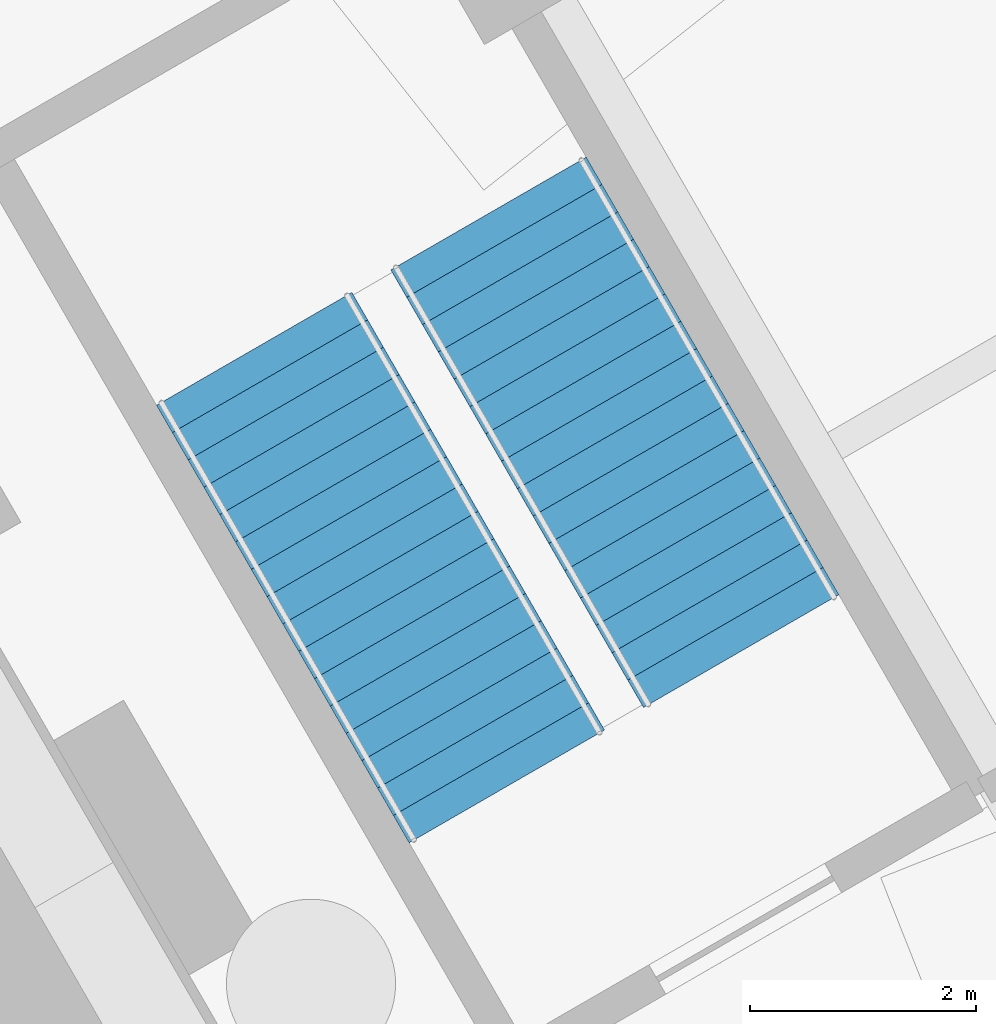
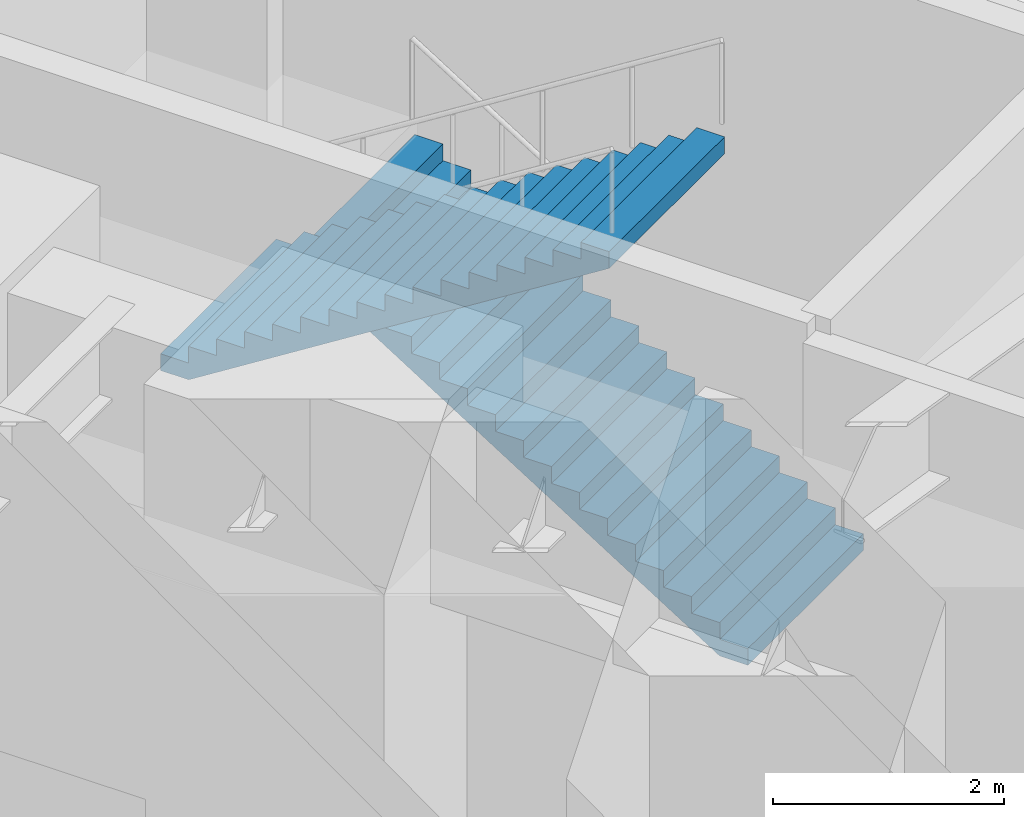
# One storey, part 24 of 34: 2 stair flights, 1 element without a shape of its own.
"""IFC4 building model written with IfcOpenShell, lengths in metres."""

from ifc_helpers import new_model, si_unit, direction, frame, origin, place, context, subcontext, project, spatial, polyline, outline, extrude, material, type_object, element, aggregate, save


model = new_model("IFC4")

# Units and contexts
model_context = context("Model", 3, precision=1e-05, world=origin(), true_north=direction((0.0, 1.0)))
body_context = subcontext(model_context, "Body", "Model", "MODEL_VIEW")
ifc_project = project(units=[si_unit("LENGTHUNIT", "METRE"), si_unit("AREAUNIT", "SQUARE_METRE"), si_unit("VOLUMEUNIT", "CUBIC_METRE"), si_unit("PLANEANGLEUNIT", "RADIAN"), si_unit("MASSUNIT", "GRAM", prefix="KILO")], contexts=[model_context])

# Site, building, storey
site_placement = place(None, origin())
site = spatial("IfcSite", under=ifc_project, at=site_placement, CompositionType="ELEMENT")
building_placement = place(site_placement, origin())
building = spatial("IfcBuilding", under=site, at=building_placement, Name="Sandreach Pilgrim Tower", CompositionType="ELEMENT")
storey_placement = place(building_placement, origin())
storey = spatial("IfcBuildingStorey", under=building, at=storey_placement, Name="L00", CompositionType="ELEMENT", Elevation=0.0)

# Stair, stair flights
ifc_material_1 = material(Name="Concrete 8000 psi", Category="concrete")
stair_type = type_object("IfcStairType", Name="Podium exit stair", PredefinedType="HALF_TURN_STAIR", material=ifc_material_1)
stair_placement = place(storey_placement, origin())
stair = element("IfcStair", 1, at=stair_placement, inside=storey, type_object=stair_type, Name="Exit stair ST4 L00", PredefinedType="HALF_TURN_STAIR")
ifc_material_2 = material(Name="Concrete 8000 psi", Category="concrete")
stair_flight_type = type_object("IfcStairFlightType", Name="Podium stair flight 2000", PredefinedType="STRAIGHT", material=ifc_material_2)
stair_flight_1_placement = place(storey_placement, frame((30.814208984375, 16.449951171875, 0.0), z_axis=(0.0, 0.0, 1.0), x_axis=(-0.5, 0.866025403784, 0.0)))
stair_flight_1 = element("IfcStairFlight", 2, at=stair_flight_1_placement, type_object=stair_flight_type, Name="ST4 flight 1", NumberOfRisers=17, NumberOfTreads=16, PredefinedType="STRAIGHT", RiserHeight=0.176470588, TreadLength=0.28, context=body_context, shape_type="SweptSolid", body=[
    extrude(outline(polyline([(0.0, 0.0), (0.0, 0.176513671875), (0.280029296875, 0.176513671875), (0.280029296875, 0.35302734375), (0.56005859375, 0.35302734375), (0.56005859375, 0.529296875), (0.840087890625, 0.529296875), (0.840087890625, 0.705810546875), (1.1201171875, 0.705810546875), (1.1201171875, 0.88232421875), (1.39990234375, 0.88232421875), (1.39990234375, 1.058837890625), (1.679931640625, 1.058837890625), (1.679931640625, 1.2353515625), (1.9599609375, 1.2353515625), (1.9599609375, 1.411865234375), (2.239990234375, 1.411865234375), (2.239990234375, 1.588134765625), (2.52001953125, 1.588134765625), (2.52001953125, 1.7646484375), (2.800048828125, 1.7646484375), (2.800048828125, 1.941162109375), (3.080078125, 1.941162109375), (3.080078125, 2.11767578125), (3.360107421875, 2.11767578125), (3.360107421875, 2.294189453125), (3.639892578125, 2.294189453125), (3.639892578125, 2.470703125), (3.919921875, 2.470703125), (3.919921875, 2.64697265625), (4.199951171875, 2.64697265625), (4.199951171875, 2.823486328125), (4.47998046875, 2.823486328125), (4.47998046875, 3.0), (4.47998046875, 2.646240234375), (0.28125, 0.0), (0.0, 0.0)])), frame((0.0, 1.0, 0.0), z_axis=(0.0, -1.0, 0.0), x_axis=(1.0, 0.0, 0.0)), (0.0, 0.0, 1.0), 2.0),
])
stair_flight_2_placement = place(storey_placement, frame((26.495849609375, 19.129638671875, 3.0), z_axis=(0.0, 0.0, 1.0), x_axis=(0.5, -0.866025403784, 0.0)))
stair_flight_2 = element("IfcStairFlight", 3, at=stair_flight_2_placement, type_object=stair_flight_type, Name="ST4 flight 2", NumberOfRisers=17, NumberOfTreads=16, PredefinedType="STRAIGHT", RiserHeight=0.176470588, TreadLength=0.28, context=body_context, shape_type="SweptSolid", body=[
    extrude(outline(polyline([(0.0, 0.0), (0.0, 0.176513671875), (0.280029296875, 0.176513671875), (0.280029296875, 0.35302734375), (0.56005859375, 0.35302734375), (0.56005859375, 0.529296875), (0.840087890625, 0.529296875), (0.840087890625, 0.705810546875), (1.1201171875, 0.705810546875), (1.1201171875, 0.88232421875), (1.39990234375, 0.88232421875), (1.39990234375, 1.058837890625), (1.679931640625, 1.058837890625), (1.679931640625, 1.2353515625), (1.9599609375, 1.2353515625), (1.9599609375, 1.411865234375), (2.239990234375, 1.411865234375), (2.239990234375, 1.588134765625), (2.52001953125, 1.588134765625), (2.52001953125, 1.7646484375), (2.800048828125, 1.7646484375), (2.800048828125, 1.941162109375), (3.080078125, 1.941162109375), (3.080078125, 2.11767578125), (3.360107421875, 2.11767578125), (3.360107421875, 2.294189453125), (3.639892578125, 2.294189453125), (3.639892578125, 2.470703125), (3.919921875, 2.470703125), (3.919921875, 2.64697265625), (4.199951171875, 2.64697265625), (4.199951171875, 2.823486328125), (4.47998046875, 2.823486328125), (4.47998046875, 3.0), (4.47998046875, 2.646240234375), (0.28125, 0.0), (0.0, 0.0)])), frame((0.0, 1.0, 0.0), z_axis=(0.0, -1.0, 0.0), x_axis=(1.0, 0.0, 0.0)), (0.0, 0.0, 1.0), 2.0),
])
aggregate(stair, [stair_flight_1, stair_flight_2])

save(model, "model.ifc")
